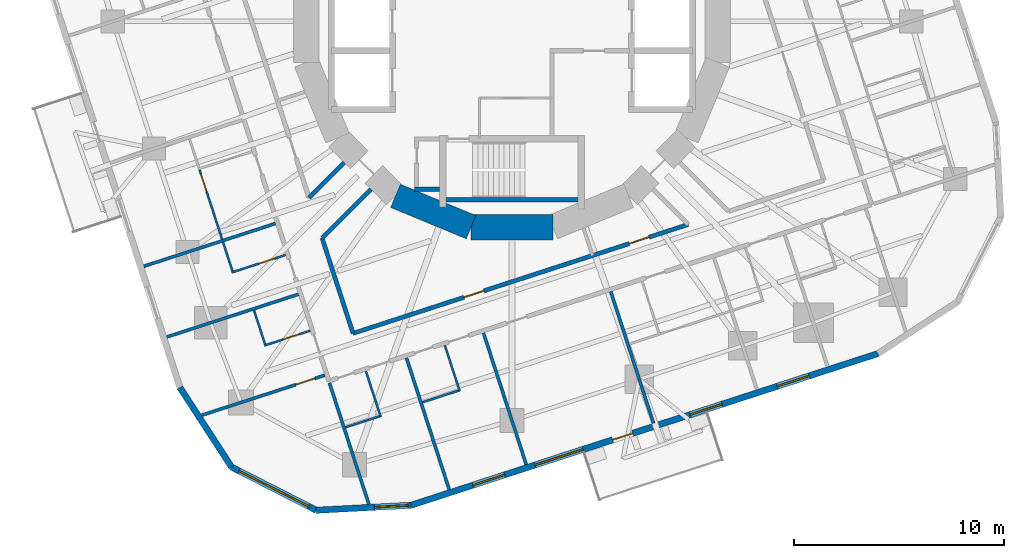
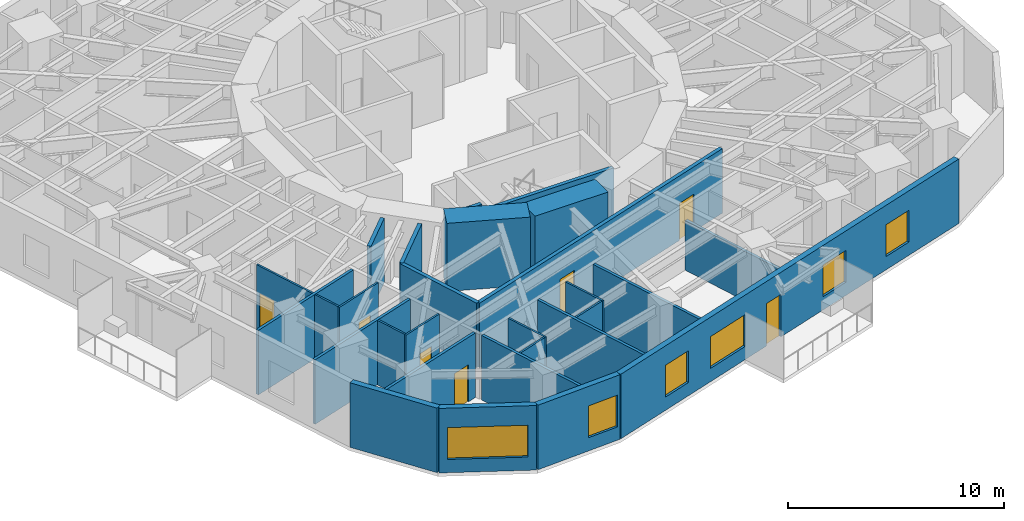
# One storey, part 4 of 12: 28 walls, 7 doors, 6 windows, 13 openings.
"""IFC4 building model written with IfcOpenShell, lengths in metres."""

from ifc_helpers import new_model, si_unit, direction, frame, frame_2d, origin, place, context, subcontext, project, spatial, rectangle, extrude, material, layer, layer_set, type_object, element, fill, save


model = new_model("IFC4")

# Units and contexts
model_context = context("Model", 3, precision=1e-05, world=origin(), true_north=direction((0.0, 1.0)))
body_context = subcontext(model_context, "Body", "Model", "MODEL_VIEW")
ifc_project = project(units=[si_unit("LENGTHUNIT", "METRE"), si_unit("AREAUNIT", "SQUARE_METRE"), si_unit("VOLUMEUNIT", "CUBIC_METRE"), si_unit("PLANEANGLEUNIT", "RADIAN"), si_unit("MASSUNIT", "GRAM", prefix="KILO")], contexts=[model_context])

# Site, building, storey
site_placement = place(None, origin())
site = spatial("IfcSite", under=ifc_project, at=site_placement, CompositionType="ELEMENT")
building_placement = place(site_placement, origin())
building = spatial("IfcBuilding", under=site, at=building_placement, Name="Nakasero Lantern House", CompositionType="ELEMENT")
storey_placement = place(building_placement, frame((0.0, 0.0, 153.35009765625)))
storey = spatial("IfcBuildingStorey", under=building, at=storey_placement, Name="L37", CompositionType="ELEMENT", Elevation=153.35009765625)

# Walls
ifc_material_1 = material(Name="Concrete C50/60", Category="concrete")
ifc_layer_1 = layer(ifc_material_1, 1.199951171875)
ifc_layer_set_1 = layer_set([ifc_layer_1], Name="Core wall 1200")
wall_type_1 = type_object("IfcWallType", Name="Core wall 1200", PredefinedType="SHEAR", material=ifc_layer_set_1)
for number, where, z_axis, x_axis, name in (
    (1, (-5.5556640625, -8.314697265625, 0.0), (0.0, 0.0, 1.0), (0.923876507187, -0.382690736062, 0.0), "Core wall L37 facet 11"),
    (2, (-1.950927734375, -9.807861328125, 0.0), (0.0, 0.0, 1.0), (1.0, 0.0, 0.0), "Core wall L37 facet 12"),
):
    element("IfcWall", number, at=place(storey_placement, frame(where, z_axis=z_axis, x_axis=x_axis)), inside=storey, type_object=wall_type_1, Name=name, PredefinedType="SHEAR", context=body_context, shape_type="SweptSolid", body=[
        extrude(rectangle(XDim=3.90185546875, YDim=1.199951171875, at=frame_2d((1.950927734375, 0.0))), origin(), (0.0, 0.0, 1.0), 3.849853515625),
    ])
ifc_material_2 = material(Name="Blockwork", Category="masonry")
ifc_layer_2 = layer(ifc_material_2, 0.199951171875)
ifc_layer_set_2 = layer_set([ifc_layer_2], Name="Corridor wall 200")
wall_type_2 = type_object("IfcWallType", Name="Corridor wall 200", PredefinedType="PARTITIONING", material=ifc_layer_set_2)
wall_1_placement = place(storey_placement, frame((-9.052490234375, -10.3251953125, 0.0), z_axis=(0.0, 0.0, 1.0), x_axis=(0.309013275037, -0.951057724773, 0.0)))
element("IfcWall", 3, at=wall_1_placement, inside=storey, type_object=wall_type_2, Name="Corridor wall L37 IW2-1", PredefinedType="PARTITIONING", context=body_context, shape_type="SweptSolid", body=[
    extrude(rectangle(XDim=4.777587890625, YDim=0.199951171875, at=frame_2d((2.388671875, 0.0))), origin(), (0.0, 0.0, 1.0), 3.64990234375),
])

# Wall, openings, doors
wall_2_placement = place(storey_placement, frame((-7.576171875, -14.868896484375, 0.0), z_axis=(0.0, 0.0, 1.0), x_axis=(0.951057770893, 0.309013133095, 0.0)))
wall_2 = element("IfcWall", 4, at=wall_2_placement, inside=storey, type_object=wall_type_2, Name="Corridor wall L37 IW3-0", PredefinedType="PARTITIONING", context=body_context, shape_type="SweptSolid", body=[
    extrude(rectangle(XDim=16.80224609375, YDim=0.199951171875, at=frame_2d((8.401123046875, 0.0))), origin(), (0.0, 0.0, 1.0), 3.64990234375),
])
opening_1_placement = place(wall_2_placement, frame((5.5625, 0.0, 0.0)))
opening_1 = element("IfcOpeningElement", 5, at=opening_1_placement, cuts=wall_2, Name="Opening D07", PredefinedType="OPENING", context=body_context, shape_type="SweptSolid", body=[
    extrude(rectangle(XDim=1.0, YDim=2.10009765625, at=frame_2d((0.5, 1.050048828125))), frame((0.0, 0.119873046875, 0.0), z_axis=(0.0, -1.0, 0.0), x_axis=(1.0, 0.0, 0.0)), (0.0, 0.0, 1.0), 0.239990234375),
])
opening_2_placement = place(wall_2_placement, frame((13.838623046875, 0.0, 0.0)))
opening_2 = element("IfcOpeningElement", 6, at=opening_2_placement, cuts=wall_2, Name="Opening D07", PredefinedType="OPENING", context=body_context, shape_type="SweptSolid", body=[
    extrude(rectangle(XDim=1.0, YDim=2.10009765625, at=frame_2d((0.5, 1.050048828125))), frame((0.0, 0.119873046875, 0.0), z_axis=(0.0, -1.0, 0.0), x_axis=(1.0, 0.0, 0.0)), (0.0, 0.0, 1.0), 0.239990234375),
])
ifc_material_3 = material(Name="Timber C24", Category="wood")
door_type_1 = type_object("IfcDoorType", Name="Room door FD30S 1000", OperationType="SINGLE_SWING_LEFT", PredefinedType="DOOR", material=ifc_material_3)
door_1_placement = place(opening_1_placement, origin())
door_1 = element("IfcDoor", 7, at=door_1_placement, inside=storey, type_object=door_type_1, Name="Door L37 DI2", OperationType="SINGLE_SWING_LEFT", OverallHeight=2.10009765625, OverallWidth=1.0, PredefinedType="DOOR", context=body_context, shape_type="SweptSolid", body=[
    extrude(rectangle(XDim=1.0, YDim=2.10009765625, at=frame_2d((0.5, 1.050048828125))), frame((0.0, 0.02490234375, 0.0), z_axis=(0.0, -1.0, 0.0), x_axis=(1.0, 0.0, 0.0)), (0.0, 0.0, 1.0), 0.050048828125),
])
fill(opening_1, door_1)
door_2_placement = place(opening_2_placement, origin())
door_2 = element("IfcDoor", 8, at=door_2_placement, inside=storey, type_object=door_type_1, Name="Door L37 DI3", OperationType="SINGLE_SWING_RIGHT", OverallHeight=2.10009765625, OverallWidth=1.0, PredefinedType="DOOR", context=body_context, shape_type="SweptSolid", body=[
    extrude(rectangle(XDim=1.0, YDim=2.10009765625, at=frame_2d((0.5, 1.050048828125))), frame((0.0, 0.02490234375, 0.0), z_axis=(0.0, -1.0, 0.0), x_axis=(1.0, 0.0, 0.0)), (0.0, 0.0, 1.0), 0.050048828125),
])
fill(opening_2, door_2)

# Walls
wall_3_placement = place(storey_placement, frame((-6.72314453125, -7.995849609375, 0.0), z_axis=(0.0, 0.0, 1.0), x_axis=(-0.707106781187, -0.707106781187, 0.0)))
element("IfcWall", 9, at=wall_3_placement, inside=storey, type_object=wall_type_2, Name="Corridor wall L37 PS10a", PredefinedType="PARTITIONING", context=body_context, shape_type="SweptSolid", body=[
    extrude(rectangle(XDim=3.294189453125, YDim=0.199951171875, at=frame_2d((1.64697265625, 0.0))), origin(), (0.0, 0.0, 1.0), 3.64990234375),
])
wall_4_placement = place(storey_placement, frame((-7.995849609375, -6.72314453125, 0.0), z_axis=(0.0, 0.0, 1.0), x_axis=(-0.707158134306, -0.707055424337, 0.0)))
element("IfcWall", 10, at=wall_4_placement, inside=storey, type_object=wall_type_2, Name="Corridor wall L37 PS10b", PredefinedType="PARTITIONING", context=body_context, shape_type="SweptSolid", body=[
    extrude(rectangle(XDim=2.376953125, YDim=0.199951171875, at=frame_2d((1.1884765625, 0.0))), origin(), (0.0, 0.0, 1.0), 3.64990234375),
])

# Wall, opening, door
ifc_material_4 = material(Name="Blockwork", Category="masonry")
ifc_layer_3 = layer(ifc_material_4, 0.10009765625)
ifc_layer_set_3 = layer_set([ifc_layer_3], Name="En-suite wall 100")
wall_type_3 = type_object("IfcWallType", Name="En-suite wall 100", PredefinedType="PARTITIONING", material=ifc_layer_set_3)
wall_5_placement = place(storey_placement, frame((-10.7880859375, -11.131591796875, 0.0), z_axis=(0.0, 0.0, 1.0), x_axis=(-0.951043371037, -0.309057448393, 0.0)))
wall_5 = element("IfcWall", 11, at=wall_5_placement, inside=storey, type_object=wall_type_3, Name="En-suite wall L37 ES2-05", PredefinedType="PARTITIONING", context=body_context, shape_type="SweptSolid", body=[
    extrude(rectangle(XDim=2.699951171875, YDim=0.10009765625, at=frame_2d((1.35009765625, 0.0))), origin(), (0.0, 0.0, 1.0), 3.64990234375),
])
opening_3_placement = place(wall_5_placement, frame((0.550048828125, 0.0, 0.0)))
opening_3 = element("IfcOpeningElement", 12, at=opening_3_placement, cuts=wall_5, Name="Opening D02", PredefinedType="OPENING", context=body_context, shape_type="SweptSolid", body=[
    extrude(rectangle(XDim=0.800048828125, YDim=2.10009765625, at=frame_2d((0.39990234375, 1.050048828125))), frame((0.0, 0.070068359375, 0.0), z_axis=(0.0, -1.0, 0.0), x_axis=(1.0, 0.0, 0.0)), (0.0, 0.0, 1.0), 0.14013671875),
])
ifc_material_5 = material(Name="Timber C24", Category="wood")
door_type_2 = type_object("IfcDoorType", Name="En-suite door 800", OperationType="SINGLE_SWING_RIGHT", PredefinedType="DOOR", material=ifc_material_5)
door_3_placement = place(opening_3_placement, origin())
door_3 = element("IfcDoor", 13, at=door_3_placement, inside=storey, type_object=door_type_2, Name="Door L37 DE2-05", OperationType="SINGLE_SWING_LEFT", OverallHeight=2.10009765625, OverallWidth=0.800048828125, PredefinedType="DOOR", context=body_context, shape_type="SweptSolid", body=[
    extrude(rectangle(XDim=0.800048828125, YDim=2.10009765625, at=frame_2d((0.39990234375, 1.050048828125))), frame((0.0, 0.02490234375, 0.0), z_axis=(0.0, -1.0, 0.0), x_axis=(1.0, 0.0, 0.0)), (0.0, 0.0, 1.0), 0.050048828125),
])
fill(opening_3, door_3)

# Wall
wall_6_placement = place(storey_placement, frame((-13.77197265625, -10.52392578125, 0.0), z_axis=(0.0, 0.0, 1.0), x_axis=(0.308945211672, -0.951079836914, 0.0)))
element("IfcWall", 14, at=wall_6_placement, inside=storey, type_object=wall_type_3, Name="En-suite wall L37 EE2-05", PredefinedType="PARTITIONING", context=body_context, shape_type="SweptSolid", body=[
    extrude(rectangle(XDim=1.4501953125, YDim=0.10009765625, at=frame_2d((0.72509765625, 0.0))), origin(), (0.0, 0.0, 1.0), 3.64990234375),
])

# Wall, opening, door
wall_7_placement = place(storey_placement, frame((-9.61572265625, -14.740234375, 0.0), z_axis=(0.0, 0.0, 1.0), x_axis=(-0.951055129775, -0.309021261611, 0.0)))
wall_7 = element("IfcWall", 15, at=wall_7_placement, inside=storey, type_object=wall_type_3, Name="En-suite wall L37 ES2-06", PredefinedType="PARTITIONING", context=body_context, shape_type="SweptSolid", body=[
    extrude(rectangle(XDim=2.2998046875, YDim=0.10009765625, at=frame_2d((1.14990234375, 0.0))), origin(), (0.0, 0.0, 1.0), 3.64990234375),
])
opening_4_placement = place(wall_7_placement, frame((0.550048828125, 0.0, 0.0)))
opening_4 = element("IfcOpeningElement", 16, at=opening_4_placement, cuts=wall_7, Name="Opening D02", PredefinedType="OPENING", context=body_context, shape_type="SweptSolid", body=[
    extrude(rectangle(XDim=0.800048828125, YDim=2.10009765625, at=frame_2d((0.39990234375, 1.050048828125))), frame((0.0, 0.070068359375, 0.0), z_axis=(0.0, -1.0, 0.0), x_axis=(1.0, 0.0, 0.0)), (0.0, 0.0, 1.0), 0.14013671875),
])
door_4_placement = place(opening_4_placement, origin())
door_4 = element("IfcDoor", 17, at=door_4_placement, inside=storey, type_object=door_type_2, Name="Door L37 DE2-06", OperationType="SINGLE_SWING_LEFT", OverallHeight=2.10009765625, OverallWidth=0.800048828125, PredefinedType="DOOR", context=body_context, shape_type="SweptSolid", body=[
    extrude(rectangle(XDim=0.800048828125, YDim=2.10009765625, at=frame_2d((0.39990234375, 1.050048828125))), frame((0.0, 0.02490234375, 0.0), z_axis=(0.0, -1.0, 0.0), x_axis=(1.0, 0.0, 0.0)), (0.0, 0.0, 1.0), 0.050048828125),
])
fill(opening_4, door_4)

# Walls
wall_8_placement = place(storey_placement, frame((-12.29638671875, -13.771240234375, 0.0), z_axis=(0.0, 0.0, 1.0), x_axis=(0.309066587596, -0.951040401051, 0.0)))
element("IfcWall", 18, at=wall_8_placement, inside=storey, type_object=wall_type_3, Name="En-suite wall L37 EE2-06", PredefinedType="PARTITIONING", context=body_context, shape_type="SweptSolid", body=[
    extrude(rectangle(XDim=1.699951171875, YDim=0.10009765625, at=frame_2d((0.85009765625, 0.0))), origin(), (0.0, 0.0, 1.0), 3.64990234375),
])
wall_9_placement = place(storey_placement, frame((-6.965087890625, -16.668212890625, 0.0), z_axis=(0.0, 0.0, 1.0), x_axis=(0.309021261611, -0.951055129775, 0.0)))
element("IfcWall", 19, at=wall_9_placement, inside=storey, type_object=wall_type_3, Name="En-suite wall L37 ES3-00", PredefinedType="PARTITIONING", context=body_context, shape_type="SweptSolid", body=[
    extrude(rectangle(XDim=2.2998046875, YDim=0.10009765625, at=frame_2d((1.14990234375, 0.0))), origin(), (0.0, 0.0, 1.0), 3.64990234375),
])
wall_10_placement = place(storey_placement, frame((-7.934326171875, -19.348876953125, 0.0), z_axis=(0.0, 0.0, 1.0), x_axis=(0.951054116971, 0.309024378638, 0.0)))
element("IfcWall", 20, at=wall_10_placement, inside=storey, type_object=wall_type_3, Name="En-suite wall L37 EE3-00", PredefinedType="PARTITIONING", context=body_context, shape_type="SweptSolid", body=[
    extrude(rectangle(XDim=1.7001953125, YDim=0.10009765625, at=frame_2d((0.85009765625, 0.0))), origin(), (0.0, 0.0, 1.0), 3.64990234375),
])
wall_11_placement = place(storey_placement, frame((-3.199462890625, -15.444580078125, 0.0), z_axis=(0.0, 0.0, 1.0), x_axis=(0.308990065628, -0.951065265554, 0.0)))
element("IfcWall", 21, at=wall_11_placement, inside=storey, type_object=wall_type_3, Name="En-suite wall L37 ES3-01", PredefinedType="PARTITIONING", context=body_context, shape_type="SweptSolid", body=[
    extrude(rectangle(XDim=2.300048828125, YDim=0.10009765625, at=frame_2d((1.14990234375, 0.0))), origin(), (0.0, 0.0, 1.0), 3.64990234375),
])
wall_12_placement = place(storey_placement, frame((-4.263671875, -18.15625, 0.0), z_axis=(0.0, 0.0, 1.0), x_axis=(0.951030081821, 0.309098339485, 0.0)))
element("IfcWall", 22, at=wall_12_placement, inside=storey, type_object=wall_type_3, Name="En-suite wall L37 EE3-01", PredefinedType="PARTITIONING", context=body_context, shape_type="SweptSolid", body=[
    extrude(rectangle(XDim=1.800048828125, YDim=0.10009765625, at=frame_2d((0.89990234375, 0.0))), origin(), (0.0, 0.0, 1.0), 3.64990234375),
])

# Wall, opening, door
wall_13_placement = place(storey_placement, frame((-14.89404296875, -7.070556640625, 0.0), z_axis=(0.0, 0.0, 1.0), x_axis=(0.309002023619, -0.951061380458, 0.0)))
wall_13 = element("IfcWall", 23, at=wall_13_placement, inside=storey, type_object=wall_type_3, Name="En-suite wall L37 EL2-04", PredefinedType="PARTITIONING", context=body_context, shape_type="SweptSolid", body=[
    extrude(rectangle(XDim=3.481201171875, YDim=0.10009765625, at=frame_2d((1.74072265625, 0.0))), origin(), (0.0, 0.0, 1.0), 3.64990234375),
])
opening_5_placement = place(wall_13_placement, frame((0.199951171875, 0.0, 0.0)))
opening_5 = element("IfcOpeningElement", 24, at=opening_5_placement, cuts=wall_13, Name="Opening D17", PredefinedType="OPENING", context=body_context, shape_type="SweptSolid", body=[
    extrude(rectangle(XDim=0.89990234375, YDim=2.10009765625, at=frame_2d((0.449951171875, 1.050048828125))), frame((0.0, 0.070068359375, 0.0), z_axis=(0.0, -1.0, 0.0), x_axis=(1.0, 0.0, 0.0)), (0.0, 0.0, 1.0), 0.14013671875),
])
ifc_material_6 = material(Name="Timber C24", Category="wood")
door_type_3 = type_object("IfcDoorType", Name="Bedroom door FD30S 900", OperationType="SINGLE_SWING_LEFT", PredefinedType="DOOR", material=ifc_material_6)
door_5_placement = place(opening_5_placement, origin())
door_5 = element("IfcDoor", 25, at=door_5_placement, inside=storey, type_object=door_type_3, Name="Door L37 DL2-04", OperationType="SINGLE_SWING_LEFT", OverallHeight=2.10009765625, OverallWidth=0.89990234375, PredefinedType="DOOR", context=body_context, shape_type="SweptSolid", body=[
    extrude(rectangle(XDim=0.89990234375, YDim=2.10009765625, at=frame_2d((0.449951171875, 1.050048828125))), frame((0.0, 0.02490234375, 0.0), z_axis=(0.0, -1.0, 0.0), x_axis=(1.0, 0.0, 0.0)), (0.0, 0.0, 1.0), 0.050048828125),
])
fill(opening_5, door_5)

# Wall
ifc_material_7 = material(Name="Aluminium rainscreen on blockwork", Category="masonry")
ifc_layer_4 = layer(ifc_material_7, 0.300048828125)
ifc_layer_set_4 = layer_set([ifc_layer_4], Name="Facade wall 300")
wall_type_4 = type_object("IfcWallType", Name="Facade wall 300", PredefinedType="SOLIDWALL", material=ifc_layer_set_4)
wall_14_placement = place(storey_placement, frame((-15.83349609375, -17.44677734375, 0.0), z_axis=(0.0, 0.0, 1.0), x_axis=(0.544634002266, -0.838673836229, 0.0)))
element("IfcWall", 26, at=wall_14_placement, inside=storey, type_object=wall_type_4, Name="Facade wall L37 FW2C1", PredefinedType="SOLIDWALL", context=body_context, shape_type="SweptSolid", body=[
    extrude(rectangle(XDim=4.529296875, YDim=0.300048828125, at=frame_2d((2.2646484375, 0.0))), origin(), (0.0, 0.0, 1.0), 3.64990234375),
])

# Wall, opening, window
wall_15_placement = place(storey_placement, frame((-13.36669921875, -21.245361328125, 0.0), z_axis=(0.0, 0.0, 1.0), x_axis=(0.890994655705, -0.454013792196, 0.0)))
wall_15 = element("IfcWall", 27, at=wall_15_placement, inside=storey, type_object=wall_type_4, Name="Facade wall L37 FW2C2", PredefinedType="SOLIDWALL", context=body_context, shape_type="SweptSolid", body=[
    extrude(rectangle(XDim=4.529296875, YDim=0.300048828125, at=frame_2d((2.2646484375, 0.0))), origin(), (0.0, 0.0, 1.0), 3.64990234375),
])
opening_6_placement = place(wall_15_placement, frame((0.39990234375, 0.0, 0.75)))
opening_6 = element("IfcOpeningElement", 28, at=opening_6_placement, cuts=wall_15, Name="Opening W237A", PredefinedType="OPENING", context=body_context, shape_type="SweptSolid", body=[
    extrude(rectangle(XDim=3.72900390625, YDim=1.800048828125, at=frame_2d((1.864501953125, 0.89990234375))), frame((0.0, 0.169921875, 0.0), z_axis=(0.0, -1.0, 0.0), x_axis=(1.0, 0.0, 0.0)), (0.0, 0.0, 1.0), 0.340087890625),
])
ifc_material_8 = material(Name="Aluminium 6063-T6 and glass", Category="aluminium")
window_type_1 = type_object("IfcWindowType", Name="Corner window 3729x1800", PartitioningType="SINGLE_PANEL", PredefinedType="WINDOW", material=ifc_material_8)
window_1_placement = place(opening_6_placement, origin())
window_1 = element("IfcWindow", 29, at=window_1_placement, inside=storey, type_object=window_type_1, Name="Window L37 WC2", OverallHeight=1.800048828125, OverallWidth=3.72900390625, PartitioningType="SINGLE_PANEL", PredefinedType="WINDOW", context=body_context, shape_type="SweptSolid", body=[
    extrude(rectangle(XDim=3.72900390625, YDim=1.800048828125, at=frame_2d((1.864501953125, 0.89990234375))), frame((0.0, 0.030029296875, 0.0), z_axis=(0.0, -1.0, 0.0), x_axis=(1.0, 0.0, 0.0)), (0.0, 0.0, 1.0), 0.06005859375),
])
fill(opening_6, window_1)

wall_16_placement = place(storey_placement, frame((-9.3310546875, -23.3017578125, 0.0), z_axis=(0.0, 0.0, 1.0), x_axis=(0.998629419044, 0.052338164079, 0.0)))
wall_16 = element("IfcWall", 30, at=wall_16_placement, inside=storey, type_object=wall_type_4, Name="Facade wall L37 FW2C3", PredefinedType="SOLIDWALL", context=body_context, shape_type="SweptSolid", body=[
    extrude(rectangle(XDim=4.529296875, YDim=0.300048828125, at=frame_2d((2.2646484375, 0.0))), origin(), (0.0, 0.0, 1.0), 3.64990234375),
])
opening_7_placement = place(wall_16_placement, frame((2.784912109375, 0.0, 0.75)))
opening_7 = element("IfcOpeningElement", 31, at=opening_7_placement, cuts=wall_16, Name="Opening W01", PredefinedType="OPENING", context=body_context, shape_type="SweptSolid", body=[
    extrude(rectangle(XDim=1.60009765625, YDim=1.800048828125, at=frame_2d((0.800048828125, 0.89990234375))), frame((0.0, 0.169921875, 0.0), z_axis=(0.0, -1.0, 0.0), x_axis=(1.0, 0.0, 0.0)), (0.0, 0.0, 1.0), 0.340087890625),
])
ifc_material_9 = material(Name="Aluminium 6063-T6 and glass", Category="aluminium")
window_type_2 = type_object("IfcWindowType", Name="Bedroom window 1600x1800", PartitioningType="SINGLE_PANEL", PredefinedType="WINDOW", material=ifc_material_9)
window_2_placement = place(opening_7_placement, origin())
window_2 = element("IfcWindow", 32, at=window_2_placement, inside=storey, type_object=window_type_2, Name="Window L37 WN3-00", OverallHeight=1.800048828125, OverallWidth=1.60009765625, PartitioningType="SINGLE_PANEL", PredefinedType="WINDOW", context=body_context, shape_type="SweptSolid", body=[
    extrude(rectangle(XDim=1.60009765625, YDim=1.800048828125, at=frame_2d((0.800048828125, 0.89990234375))), frame((0.0, 0.030029296875, 0.0), z_axis=(0.0, -1.0, 0.0), x_axis=(1.0, 0.0, 0.0)), (0.0, 0.0, 1.0), 0.06005859375),
])
fill(opening_7, window_2)

# Wall, openings, door, windows
wall_17_placement = place(storey_placement, frame((-4.807861328125, -23.064697265625, 0.0), z_axis=(0.0, 0.0, 1.0), x_axis=(0.951053618334, 0.30902591324, 0.0)))
wall_17 = element("IfcWall", 33, at=wall_17_placement, inside=storey, type_object=wall_type_4, Name="Facade wall L37 FW3S", PredefinedType="SOLIDWALL", context=body_context, shape_type="SweptSolid", body=[
    extrude(rectangle(XDim=23.39990234375, YDim=0.300048828125, at=frame_2d((11.699951171875, 0.0))), origin(), (0.0, 0.0, 1.0), 3.64990234375),
])
opening_8_placement = place(wall_17_placement, frame((3.089111328125, 0.0, 0.75)))
opening_8 = element("IfcOpeningElement", 34, at=opening_8_placement, cuts=wall_17, Name="Opening W01", PredefinedType="OPENING", context=body_context, shape_type="SweptSolid", body=[
    extrude(rectangle(XDim=1.60009765625, YDim=1.800048828125, at=frame_2d((0.800048828125, 0.89990234375))), frame((0.0, 0.169921875, 0.0), z_axis=(0.0, -1.0, 0.0), x_axis=(1.0, 0.0, 0.0)), (0.0, 0.0, 1.0), 0.340087890625),
])
opening_9_placement = place(wall_17_placement, frame((13.987548828125, 0.0, 0.75)))
opening_9 = element("IfcOpeningElement", 35, at=opening_9_placement, cuts=wall_17, Name="Opening W01", PredefinedType="OPENING", context=body_context, shape_type="SweptSolid", body=[
    extrude(rectangle(XDim=1.60009765625, YDim=1.800048828125, at=frame_2d((0.800048828125, 0.89990234375))), frame((0.0, 0.169921875, 0.0), z_axis=(0.0, -1.0, 0.0), x_axis=(1.0, 0.0, 0.0)), (0.0, 0.0, 1.0), 0.340087890625),
])
opening_10_placement = place(wall_17_placement, frame((18.350341796875, 0.0, 0.75)))
opening_10 = element("IfcOpeningElement", 36, at=opening_10_placement, cuts=wall_17, Name="Opening W01", PredefinedType="OPENING", context=body_context, shape_type="SweptSolid", body=[
    extrude(rectangle(XDim=1.60009765625, YDim=1.800048828125, at=frame_2d((0.800048828125, 0.89990234375))), frame((0.0, 0.169921875, 0.0), z_axis=(0.0, -1.0, 0.0), x_axis=(1.0, 0.0, 0.0)), (0.0, 0.0, 1.0), 0.340087890625),
])
opening_11_placement = place(wall_17_placement, frame((6.21337890625, 0.0, 0.75)))
opening_11 = element("IfcOpeningElement", 37, at=opening_11_placement, cuts=wall_17, Name="Opening W03", PredefinedType="OPENING", context=body_context, shape_type="SweptSolid", body=[
    extrude(rectangle(XDim=2.39990234375, YDim=1.800048828125, at=frame_2d((1.199951171875, 0.89990234375))), frame((0.0, 0.169921875, 0.0), z_axis=(0.0, -1.0, 0.0), x_axis=(1.0, 0.0, 0.0)), (0.0, 0.0, 1.0), 0.340087890625),
])
opening_12_placement = place(wall_17_placement, frame((10.1025390625, 0.0, 0.0)))
opening_12 = element("IfcOpeningElement", 38, at=opening_12_placement, cuts=wall_17, Name="Opening D04", PredefinedType="OPENING", context=body_context, shape_type="SweptSolid", body=[
    extrude(rectangle(XDim=1.0, YDim=2.39990234375, at=frame_2d((0.5, 1.199951171875))), frame((0.0, 0.169921875, 0.0), z_axis=(0.0, -1.0, 0.0), x_axis=(1.0, 0.0, 0.0)), (0.0, 0.0, 1.0), 0.340087890625),
])
ifc_material_10 = material(Name="Aluminium 6063-T6 and glass", Category="aluminium")
door_type_4 = type_object("IfcDoorType", Name="Balcony door 1000x2400", OperationType="SINGLE_SWING_RIGHT", PredefinedType="DOOR", material=ifc_material_10)
door_6_placement = place(opening_12_placement, origin())
door_6 = element("IfcDoor", 39, at=door_6_placement, inside=storey, type_object=door_type_4, Name="Balcony door L37 DB3", OperationType="SINGLE_SWING_RIGHT", OverallHeight=2.39990234375, OverallWidth=1.0, PredefinedType="DOOR", context=body_context, shape_type="SweptSolid", body=[
    extrude(rectangle(XDim=1.0, YDim=2.39990234375, at=frame_2d((0.5, 1.199951171875))), frame((0.0, 0.02490234375, 0.0), z_axis=(0.0, -1.0, 0.0), x_axis=(1.0, 0.0, 0.0)), (0.0, 0.0, 1.0), 0.050048828125),
])
fill(opening_12, door_6)
window_3_placement = place(opening_8_placement, origin())
window_3 = element("IfcWindow", 40, at=window_3_placement, inside=storey, type_object=window_type_2, Name="Window L37 WN3-01", OverallHeight=1.800048828125, OverallWidth=1.60009765625, PartitioningType="SINGLE_PANEL", PredefinedType="WINDOW", context=body_context, shape_type="SweptSolid", body=[
    extrude(rectangle(XDim=1.60009765625, YDim=1.800048828125, at=frame_2d((0.800048828125, 0.89990234375))), frame((0.0, 0.030029296875, 0.0), z_axis=(0.0, -1.0, 0.0), x_axis=(1.0, 0.0, 0.0)), (0.0, 0.0, 1.0), 0.06005859375),
])
fill(opening_8, window_3)
window_4_placement = place(opening_9_placement, origin())
window_4 = element("IfcWindow", 41, at=window_4_placement, inside=storey, type_object=window_type_2, Name="Window L37 WN3-04", OverallHeight=1.800048828125, OverallWidth=1.60009765625, PartitioningType="SINGLE_PANEL", PredefinedType="WINDOW", context=body_context, shape_type="SweptSolid", body=[
    extrude(rectangle(XDim=1.60009765625, YDim=1.800048828125, at=frame_2d((0.800048828125, 0.89990234375))), frame((0.0, 0.030029296875, 0.0), z_axis=(0.0, -1.0, 0.0), x_axis=(1.0, 0.0, 0.0)), (0.0, 0.0, 1.0), 0.06005859375),
])
fill(opening_9, window_4)
window_5_placement = place(opening_10_placement, origin())
window_5 = element("IfcWindow", 42, at=window_5_placement, inside=storey, type_object=window_type_2, Name="Window L37 WN3-05", OverallHeight=1.800048828125, OverallWidth=1.60009765625, PartitioningType="SINGLE_PANEL", PredefinedType="WINDOW", context=body_context, shape_type="SweptSolid", body=[
    extrude(rectangle(XDim=1.60009765625, YDim=1.800048828125, at=frame_2d((0.800048828125, 0.89990234375))), frame((0.0, 0.030029296875, 0.0), z_axis=(0.0, -1.0, 0.0), x_axis=(1.0, 0.0, 0.0)), (0.0, 0.0, 1.0), 0.06005859375),
])
fill(opening_10, window_5)
ifc_material_11 = material(Name="Aluminium 6063-T6 and glass", Category="aluminium")
window_type_3 = type_object("IfcWindowType", Name="Lounge window 2400x1800", PartitioningType="SINGLE_PANEL", PredefinedType="WINDOW", material=ifc_material_11)
window_6_placement = place(opening_11_placement, origin())
window_6 = element("IfcWindow", 43, at=window_6_placement, inside=storey, type_object=window_type_3, Name="Window L37 WK3", OverallHeight=1.800048828125, OverallWidth=2.39990234375, PartitioningType="SINGLE_PANEL", PredefinedType="WINDOW", context=body_context, shape_type="SweptSolid", body=[
    extrude(rectangle(XDim=2.39990234375, YDim=1.800048828125, at=frame_2d((1.199951171875, 0.89990234375))), frame((0.0, 0.030029296875, 0.0), z_axis=(0.0, -1.0, 0.0), x_axis=(1.0, 0.0, 0.0)), (0.0, 0.0, 1.0), 0.06005859375),
])
fill(opening_11, window_6)

# Walls
ifc_material_12 = material(Name="Blockwork", Category="masonry")
ifc_layer_5 = layer(ifc_material_12, 0.199951171875)
ifc_layer_set_5 = layer_set([ifc_layer_5], Name="Fire lobby wall 200")
wall_type_5 = type_object("IfcWallType", Name="Fire lobby wall 200", PredefinedType="PARTITIONING", material=ifc_layer_set_5)
wall_18_placement = place(storey_placement, frame((-3.449951171875, -8.0, 0.0), z_axis=(0.0, 0.0, 1.0), x_axis=(-1.0, 0.0, 0.0)))
element("IfcWall", 44, at=wall_18_placement, inside=storey, type_object=wall_type_5, Name="Fire lobby wall L37 W-RS2S", PredefinedType="PARTITIONING", context=body_context, shape_type="SweptSolid", body=[
    extrude(rectangle(XDim=1.199951171875, YDim=0.199951171875, at=frame_2d((0.60009765625, 0.0))), origin(), (0.0, 0.0, 1.0), 3.64990234375),
])
wall_19_placement = place(storey_placement, frame((-3.300048828125, -8.5, 0.0), z_axis=(0.0, 0.0, 1.0), x_axis=(1.0, 0.0, 0.0)))
element("IfcWall", 45, at=wall_19_placement, inside=storey, type_object=wall_type_5, Name="Fire lobby wall L37 W-STS", PredefinedType="PARTITIONING", context=body_context, shape_type="SweptSolid", body=[
    extrude(rectangle(XDim=6.60009765625, YDim=0.199951171875, at=frame_2d((3.300048828125, 0.0))), origin(), (0.0, 0.0, 1.0), 3.64990234375),
])
ifc_material_13 = material(Name="Blockwork", Category="masonry")
ifc_layer_6 = layer(ifc_material_13, 0.14990234375)
ifc_layer_set_6 = layer_set([ifc_layer_6], Name="Party wall 150")
wall_type_6 = type_object("IfcWallType", Name="Party wall 150", PredefinedType="PARTITIONING", material=ifc_layer_set_6)
for number, where, z_axis, x_axis, name in (
    (46, (-11.27490234375, -9.6337890625, 0.0), (0.0, 0.0, 1.0), (-0.951053095941, -0.309027520945, 0.0), "Party wall L37 PW2-05"),
    (47, (-10.1796875, -13.004638671875, 0.0), (0.0, 0.0, 1.0), (-0.951053095941, -0.309027520945, 0.0), "Party wall L37 PW2-06"),
):
    element("IfcWall", number, at=place(storey_placement, frame(where, z_axis=z_axis, x_axis=x_axis)), inside=storey, type_object=wall_type_6, Name=name, PredefinedType="PARTITIONING", context=body_context, shape_type="SweptSolid", body=[
        extrude(rectangle(XDim=6.599853515625, YDim=0.14990234375, at=frame_2d((3.2998046875, 0.0))), origin(), (0.0, 0.0, 1.0), 3.64990234375),
    ])

# Wall, opening, door
wall_20_placement = place(storey_placement, frame((-8.9248046875, -16.8662109375, 0.0), z_axis=(0.0, 0.0, 1.0), x_axis=(-0.951051818488, -0.309031452366, 0.0)))
wall_20 = element("IfcWall", 48, at=wall_20_placement, inside=storey, type_object=wall_type_6, Name="Party wall L37 PC2", PredefinedType="PARTITIONING", context=body_context, shape_type="SweptSolid", body=[
    extrude(rectangle(XDim=6.165283203125, YDim=0.14990234375, at=frame_2d((3.08251953125, 0.0))), origin(), (0.0, 0.0, 1.0), 3.64990234375),
])
opening_13_placement = place(wall_20_placement, frame((0.5, 0.0, 0.0)))
opening_13 = element("IfcOpeningElement", 49, at=opening_13_placement, cuts=wall_20, Name="Opening D01", PredefinedType="OPENING", context=body_context, shape_type="SweptSolid", body=[
    extrude(rectangle(XDim=0.949951171875, YDim=2.10009765625, at=frame_2d((0.47509765625, 1.050048828125))), frame((0.0, 0.094970703125, 0.0), z_axis=(0.0, -1.0, 0.0), x_axis=(1.0, 0.0, 0.0)), (0.0, 0.0, 1.0), 0.18994140625),
])
ifc_material_14 = material(Name="Timber C24", Category="wood")
door_type_5 = type_object("IfcDoorType", Name="Bedroom door FD30S 950", OperationType="SINGLE_SWING_LEFT", PredefinedType="DOOR", material=ifc_material_14)
door_7_placement = place(opening_13_placement, origin())
door_7 = element("IfcDoor", 50, at=door_7_placement, inside=storey, type_object=door_type_5, Name="Door L37 DC2", OperationType="SINGLE_SWING_LEFT", OverallHeight=2.10009765625, OverallWidth=0.949951171875, PredefinedType="DOOR", context=body_context, shape_type="SweptSolid", body=[
    extrude(rectangle(XDim=0.949951171875, YDim=2.10009765625, at=frame_2d((0.47509765625, 1.050048828125))), frame((0.0, 0.02490234375, 0.0), z_axis=(0.0, -1.0, 0.0), x_axis=(1.0, 0.0, 0.0)), (0.0, 0.0, 1.0), 0.050048828125),
])
fill(opening_13, door_7)

# Walls
wall_21_placement = place(storey_placement, frame((-8.700927734375, -17.232177734375, 0.0), z_axis=(0.0, 0.0, 1.0), x_axis=(0.309015253813, -0.951057081836, 0.0)))
element("IfcWall", 51, at=wall_21_placement, inside=storey, type_object=wall_type_6, Name="Party wall L37 PW3-00", PredefinedType="PARTITIONING", context=body_context, shape_type="SweptSolid", body=[
    extrude(rectangle(XDim=6.080322265625, YDim=0.14990234375, at=frame_2d((3.0400390625, 0.0))), origin(), (0.0, 0.0, 1.0), 3.64990234375),
])
for number, where, z_axis, x_axis, name in (
    (52, (-5.0302734375, -16.03955078125, 0.0), (0.0, 0.0, 1.0), (0.309027520945, -0.951053095941, 0.0), "Party wall L37 PW3-01"),
    (53, (-1.359619140625, -14.846923828125, 0.0), (0.0, 0.0, 1.0), (0.309027520945, -0.951053095941, 0.0), "Party wall L37 PW3-02"),
):
    element("IfcWall", number, at=place(storey_placement, frame(where, z_axis=z_axis, x_axis=x_axis)), inside=storey, type_object=wall_type_6, Name=name, PredefinedType="PARTITIONING", context=body_context, shape_type="SweptSolid", body=[
        extrude(rectangle(XDim=6.599853515625, YDim=0.14990234375, at=frame_2d((3.2998046875, 0.0))), origin(), (0.0, 0.0, 1.0), 3.64990234375),
    ])
wall_22_placement = place(storey_placement, frame((4.706298828125, -12.8759765625, 0.0), z_axis=(0.0, 0.0, 1.0), x_axis=(0.309027520945, -0.951053095941, 0.0)))
element("IfcWall", 54, at=wall_22_placement, inside=storey, type_object=wall_type_6, Name="Party wall L37 PW3-04", PredefinedType="PARTITIONING", context=body_context, shape_type="SweptSolid", body=[
    extrude(rectangle(XDim=6.599853515625, YDim=0.14990234375, at=frame_2d((3.2998046875, 0.0))), origin(), (0.0, 0.0, 1.0), 2.80908203125),
])

save(model, "model.ifc")
